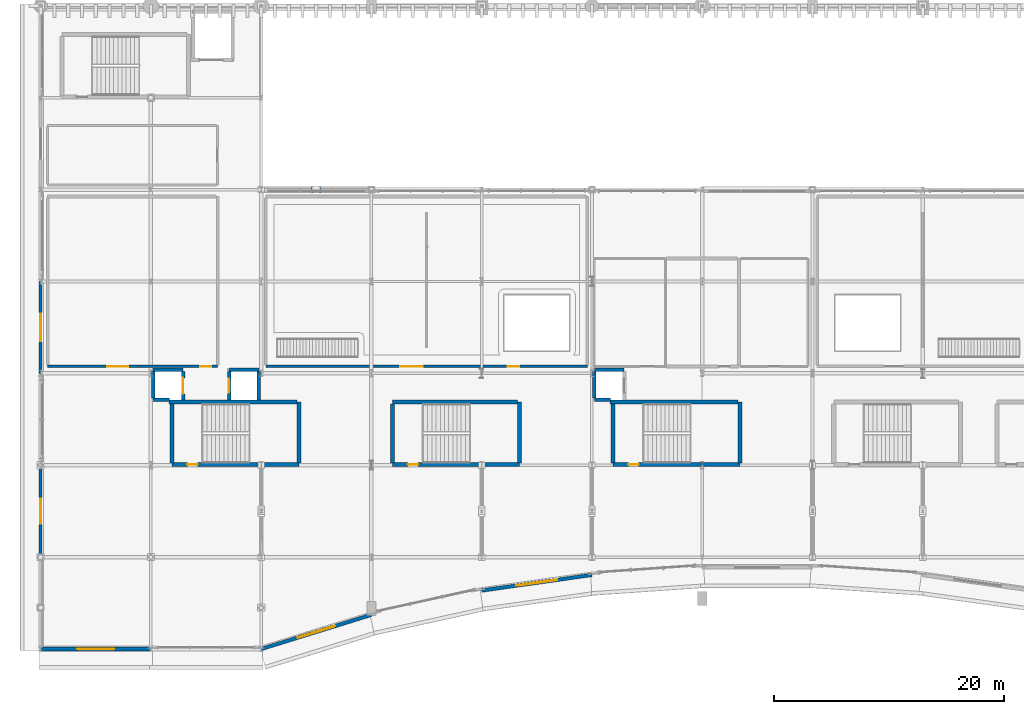
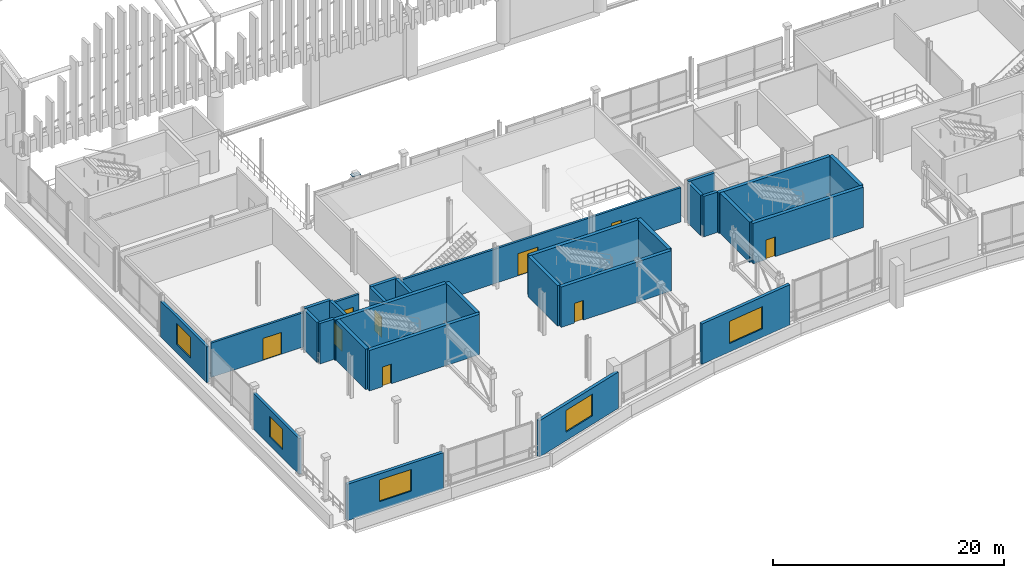
# One storey, part 149 of 193: 29 walls, 9 doors, 5 windows, 1 plate, 14 openings.
"""IFC4 building model written with IfcOpenShell, lengths in metres."""

from ifc_helpers import new_model, si_unit, direction, frame, frame_2d, origin, origin_with_axes, origin_2d, place, context, subcontext, project, spatial, rectangle, extrude, material, layer, layer_set, type_object, element, fill, save


model = new_model("IFC4")

# Units and contexts
model_context = context("Model", 3, precision=1e-05, world=origin(), true_north=direction((0.0, 1.0)))
body_context = subcontext(model_context, "Body", "Model", "MODEL_VIEW")
ifc_project = project(units=[si_unit("LENGTHUNIT", "METRE"), si_unit("AREAUNIT", "SQUARE_METRE"), si_unit("VOLUMEUNIT", "CUBIC_METRE"), si_unit("PLANEANGLEUNIT", "RADIAN"), si_unit("MASSUNIT", "GRAM", prefix="KILO")], contexts=[model_context])

# Site, building, storey
site_placement = place(None, origin())
site = spatial("IfcSite", under=ifc_project, at=site_placement, CompositionType="ELEMENT")
building_placement = place(site_placement, origin())
building = spatial("IfcBuilding", under=site, at=building_placement, Name="Danafjord Basin Convention Centre", CompositionType="ELEMENT")
storey_placement = place(building_placement, frame((0.0, 0.0, 11.39990234375)))
storey = spatial("IfcBuildingStorey", under=building, at=storey_placement, Name="L02", CompositionType="ELEMENT", Elevation=11.39990234375)

# Plate
ifc_material_1 = material(Name="Steel S355", Category="steel")
ifc_layer_1 = layer(ifc_material_1, 0.030029296875)
ifc_layer_set_1 = layer_set([ifc_layer_1], Name="Steel S355")
plate_type = type_object("IfcPlateType", Name="PLT-TN-30", PredefinedType="SHEET", material=ifc_layer_set_1)
plate_placement = place(storey_placement, frame((24.0, 40.0, 3.88525390625), z_axis=(0.0, 0.0, 1.0), x_axis=(1.0, 0.0, 0.0)))
element("IfcPlate", 1, at=plate_placement, inside=storey, type_object=plate_type, Name="L02 chevron apex gusset plate", PredefinedType="SHEET", context=body_context, shape_type="SweptSolid", body=[
    extrude(rectangle(XDim=0.800048828125, YDim=0.5, at=origin_2d()), origin(), (0.0, 0.0, 1.0), 0.030029296875),
])

# Walls
ifc_material_2 = material(Name="Concrete C40/50", Category="concrete")
ifc_layer_2 = layer(ifc_material_2, 0.300048828125)
ifc_layer_set_2 = layer_set([ifc_layer_2], Name="Concrete C40/50")
wall_type_1 = type_object("IfcWallType", Name="WALL-CW-CORE300", PredefinedType="SHEAR", material=ifc_layer_set_2)
wall_1_placement = place(storey_placement, frame((12.39990234375, 24.300048828125, 0.0), z_axis=(0.0, 0.0, 1.0), x_axis=(-1.0, 0.0, 0.0)))
element("IfcWall", 2, at=wall_1_placement, inside=storey, type_object=wall_type_1, Name="Lift LF-FF01 shaft shear wall", PredefinedType="SHEAR", context=body_context, shape_type="SweptSolid", body=[
    extrude(rectangle(XDim=2.599853515625, YDim=0.300048828125, at=frame_2d((1.2998046875, 0.0))), origin(), (0.0, 0.0, 1.0), 4.27001953125),
])
wall_2_placement = place(storey_placement, frame((9.800048828125, 21.699951171875, 0.0), z_axis=(0.0, 0.0, 1.0), x_axis=(1.0, 0.0, 0.0)))
element("IfcWall", 3, at=wall_2_placement, inside=storey, type_object=wall_type_1, Name="Lift LF-FF01 shaft shear wall", PredefinedType="SHEAR", context=body_context, shape_type="SweptSolid", body=[
    extrude(rectangle(XDim=1.39990234375, YDim=0.300048828125, at=frame_2d((0.699951171875, 0.0))), origin(), (0.0, 0.0, 1.0), 4.27001953125),
])

# Wall, opening, door
wall_3_placement = place(storey_placement, frame((12.39990234375, 21.6650390625, 0.0), z_axis=(0.0, 0.0, 1.0), x_axis=(0.0, 1.0, 0.0)))
wall_3 = element("IfcWall", 4, at=wall_3_placement, inside=storey, type_object=wall_type_1, Name="Lift LF-FF01 shaft shear wall", PredefinedType="SHEAR", context=body_context, shape_type="SweptSolid", body=[
    extrude(rectangle(XDim=2.5, YDim=0.300048828125, at=frame_2d((1.25, 0.0))), origin(), (0.0, 0.0, 1.0), 4.27001953125),
])
opening_1_placement = place(wall_3_placement, frame((0.550048828125, 0.0, 0.0)))
opening_1 = element("IfcOpeningElement", 5, at=opening_1_placement, cuts=wall_3, Name="Opening LD-F01", PredefinedType="OPENING", context=body_context, shape_type="SweptSolid", body=[
    extrude(rectangle(XDim=1.39990234375, YDim=2.260009765625, at=frame_2d((0.699951171875, 1.1298828125))), frame((0.0, 0.159912109375, 0.0), z_axis=(0.0, -1.0, 0.0), x_axis=(1.0, 0.0, 0.0)), (0.0, 0.0, 1.0), 0.320068359375),
])
ifc_material_3 = material(Name="Brushed stainless steel and acoustic laminated glass", Category="steel")
door_type_1 = type_object("IfcDoorType", Name="DOOR-LD-F01", OperationType="DOUBLE_DOOR_SLIDING", PredefinedType="DOOR", material=ifc_material_3)
door_1_placement = place(opening_1_placement, origin())
door_1 = element("IfcDoor", 6, at=door_1_placement, inside=storey, type_object=door_type_1, Name="Lift LF-FF01 L02 Landing Door", OperationType="DOUBLE_DOOR_SLIDING", OverallHeight=2.260009765625, OverallWidth=1.39990234375, PredefinedType="DOOR", context=body_context, shape_type="SweptSolid", body=[
    extrude(rectangle(XDim=1.39990234375, YDim=2.260009765625, at=frame_2d((0.699951171875, 1.1298828125))), frame((0.0, 0.02490234375, 0.0), z_axis=(0.0, -1.0, 0.0), x_axis=(1.0, 0.0, 0.0)), (0.0, 0.0, 1.0), 0.050048828125),
])
fill(opening_1, door_1)

# Walls
wall_4_placement = place(storey_placement, frame((9.800048828125, 24.1650390625, 0.0), z_axis=(0.0, 0.0, 1.0), x_axis=(0.0, -1.0, 0.0)))
element("IfcWall", 7, at=wall_4_placement, inside=storey, type_object=wall_type_1, Name="Lift LF-FF01 shaft shear wall", PredefinedType="SHEAR", context=body_context, shape_type="SweptSolid", body=[
    extrude(rectangle(XDim=2.330078125, YDim=0.300048828125, at=frame_2d((1.1650390625, 0.0))), origin(), (0.0, 0.0, 1.0), 4.27001953125),
])
wall_5_placement = place(storey_placement, frame((19.0, 24.300048828125, 0.0), z_axis=(0.0, 0.0, 1.0), x_axis=(-1.0, 0.0, 0.0)))
element("IfcWall", 8, at=wall_5_placement, inside=storey, type_object=wall_type_1, Name="Lift LF-P01 shaft shear wall", PredefinedType="SHEAR", context=body_context, shape_type="SweptSolid", body=[
    extrude(rectangle(XDim=2.60009765625, YDim=0.300048828125, at=frame_2d((1.300048828125, 0.0))), origin(), (0.0, 0.0, 1.0), 4.27001953125),
])
wall_6_placement = place(storey_placement, frame((19.0, 21.6650390625, 0.0), z_axis=(0.0, 0.0, 1.0), x_axis=(0.0, 1.0, 0.0)))
element("IfcWall", 9, at=wall_6_placement, inside=storey, type_object=wall_type_1, Name="Lift LF-P01 shaft shear wall", PredefinedType="SHEAR", context=body_context, shape_type="SweptSolid", body=[
    extrude(rectangle(XDim=2.5, YDim=0.300048828125, at=frame_2d((1.25, 0.0))), origin(), (0.0, 0.0, 1.0), 4.27001953125),
])

# Wall, opening, door
wall_7_placement = place(storey_placement, frame((16.39990234375, 24.1650390625, 0.0), z_axis=(0.0, 0.0, 1.0), x_axis=(0.0, -1.0, 0.0)))
wall_7 = element("IfcWall", 10, at=wall_7_placement, inside=storey, type_object=wall_type_1, Name="Lift LF-P01 shaft shear wall", PredefinedType="SHEAR", context=body_context, shape_type="SweptSolid", body=[
    extrude(rectangle(XDim=2.5, YDim=0.300048828125, at=frame_2d((1.25, 0.0))), origin(), (0.0, 0.0, 1.0), 4.27001953125),
])
opening_2_placement = place(wall_7_placement, frame((0.64990234375, 0.0, 0.0)))
opening_2 = element("IfcOpeningElement", 11, at=opening_2_placement, cuts=wall_7, Name="Opening LD-P01", PredefinedType="OPENING", context=body_context, shape_type="SweptSolid", body=[
    extrude(rectangle(XDim=1.199951171875, YDim=2.199951171875, at=frame_2d((0.60009765625, 1.10009765625))), frame((0.0, 0.159912109375, 0.0), z_axis=(0.0, -1.0, 0.0), x_axis=(1.0, 0.0, 0.0)), (0.0, 0.0, 1.0), 0.320068359375),
])
door_type_2 = type_object("IfcDoorType", Name="DOOR-LD-P01", OperationType="DOUBLE_DOOR_SLIDING", PredefinedType="DOOR", material=ifc_material_3)
door_2_placement = place(opening_2_placement, origin())
door_2 = element("IfcDoor", 12, at=door_2_placement, inside=storey, type_object=door_type_2, Name="Lift LF-P01 L02 Landing Door", OperationType="DOUBLE_DOOR_SLIDING", OverallHeight=2.199951171875, OverallWidth=1.199951171875, PredefinedType="DOOR", context=body_context, shape_type="SweptSolid", body=[
    extrude(rectangle(XDim=1.199951171875, YDim=2.199951171875, at=frame_2d((0.60009765625, 1.10009765625))), frame((0.0, 0.02490234375, 0.0), z_axis=(0.0, -1.0, 0.0), x_axis=(1.0, 0.0, 0.0)), (0.0, 0.0, 1.0), 0.050048828125),
])
fill(opening_2, door_2)

# Walls
wall_8_placement = place(storey_placement, frame((50.800048828125, 24.300048828125, 0.0), z_axis=(0.0, 0.0, 1.0), x_axis=(-1.0, 0.0, 0.0)))
element("IfcWall", 13, at=wall_8_placement, inside=storey, type_object=wall_type_1, Name="Lift LF-P03 shaft shear wall", PredefinedType="SHEAR", context=body_context, shape_type="SweptSolid", body=[
    extrude(rectangle(XDim=2.60009765625, YDim=0.300048828125, at=frame_2d((1.300048828125, 0.0))), origin(), (0.0, 0.0, 1.0), 4.27001953125),
])
wall_9_placement = place(storey_placement, frame((48.199951171875, 21.699951171875, 0.0), z_axis=(0.0, 0.0, 1.0), x_axis=(1.0, 0.0, 0.0)))
element("IfcWall", 14, at=wall_9_placement, inside=storey, type_object=wall_type_1, Name="Lift LF-P03 shaft shear wall", PredefinedType="SHEAR", context=body_context, shape_type="SweptSolid", body=[
    extrude(rectangle(XDim=1.400146484375, YDim=0.300048828125, at=frame_2d((0.7001953125, 0.0))), origin(), (0.0, 0.0, 1.0), 4.27001953125),
])
wall_10_placement = place(storey_placement, frame((48.199951171875, 24.1650390625, 0.0), z_axis=(0.0, 0.0, 1.0), x_axis=(0.0, -1.0, 0.0)))
element("IfcWall", 15, at=wall_10_placement, inside=storey, type_object=wall_type_1, Name="Lift LF-P03 shaft shear wall", PredefinedType="SHEAR", context=body_context, shape_type="SweptSolid", body=[
    extrude(rectangle(XDim=2.330078125, YDim=0.300048828125, at=frame_2d((1.1650390625, 0.0))), origin(), (0.0, 0.0, 1.0), 4.27001953125),
])

# Wall, opening, door
ifc_material_4 = material(Name="Concrete C45/55", Category="concrete")
ifc_layer_3 = layer(ifc_material_4, 0.35009765625)
ifc_layer_set_3 = layer_set([ifc_layer_3], Name="Concrete C45/55")
wall_type_2 = type_object("IfcWallType", Name="WALL-CW-CORE350", PredefinedType="SHEAR", material=ifc_layer_set_3)
wall_11_placement = place(storey_placement, frame((11.449951171875, 16.050048828125, 0.0), z_axis=(0.0, 0.0, 1.0), x_axis=(1.0, 0.0, 0.0)))
wall_11 = element("IfcWall", 16, at=wall_11_placement, inside=storey, type_object=wall_type_2, Name="West Harbour Core Stair 1 core shear wall (south)", PredefinedType="SHEAR", context=body_context, shape_type="SweptSolid", body=[
    extrude(rectangle(XDim=11.0400390625, YDim=0.35009765625, at=frame_2d((5.52001953125, 0.0))), origin(), (0.0, 0.0, 1.0), 4.27001953125),
])
opening_3_placement = place(wall_11_placement, frame((1.31201171875, 0.0, 0.0)))
opening_3 = element("IfcOpeningElement", 17, at=opening_3_placement, cuts=wall_11, Name="Opening FD-S01", PredefinedType="OPENING", context=body_context, shape_type="SweptSolid", body=[
    extrude(rectangle(XDim=0.909912109375, YDim=2.080078125, at=frame_2d((0.455078125, 1.0400390625))), frame((0.0, 0.18505859375, 0.0), z_axis=(0.0, -1.0, 0.0), x_axis=(1.0, 0.0, 0.0)), (0.0, 0.0, 1.0), 0.3701171875),
])
ifc_material_5 = material(Name="Powder-coated steel and Nordic oak", Category="steel")
door_type_3 = type_object("IfcDoorType", Name="DOOR-FD-S01", OperationType="NOTDEFINED", PredefinedType="DOOR", material=ifc_material_5)
door_3_placement = place(opening_3_placement, origin())
door_3 = element("IfcDoor", 18, at=door_3_placement, inside=storey, type_object=door_type_3, Name="West Harbour Core Stair 1 L02 Fire Exit Door", OperationType="SINGLE_SWING_RIGHT", OverallHeight=2.080078125, OverallWidth=0.909912109375, PredefinedType="DOOR", context=body_context, shape_type="SweptSolid", body=[
    extrude(rectangle(XDim=0.909912109375, YDim=2.080078125, at=frame_2d((0.455078125, 1.0400390625))), frame((0.0, 0.02490234375, 0.0), z_axis=(0.0, -1.0, 0.0), x_axis=(1.0, 0.0, 0.0)), (0.0, 0.0, 1.0), 0.050048828125),
])
fill(opening_3, door_3)

# Walls
wall_12_placement = place(storey_placement, frame((22.489990234375, 16.2099609375, 0.0), z_axis=(0.0, 0.0, 1.0), x_axis=(0.0, 1.0, 0.0)))
element("IfcWall", 19, at=wall_12_placement, inside=storey, type_object=wall_type_2, Name="West Harbour Core Stair 1 core shear wall (east)", PredefinedType="SHEAR", context=body_context, shape_type="SweptSolid", body=[
    extrude(rectangle(XDim=5.300048828125, YDim=0.35009765625, at=frame_2d((2.64990234375, 0.0))), origin(), (0.0, 0.0, 1.0), 4.27001953125),
])
wall_13_placement = place(storey_placement, frame((22.330078125, 21.510009765625, 0.0), z_axis=(0.0, 0.0, 1.0), x_axis=(-1.0, 0.0, 0.0)))
element("IfcWall", 20, at=wall_13_placement, inside=storey, type_object=wall_type_2, Name="West Harbour Core Stair 1 core shear wall (north)", PredefinedType="SHEAR", context=body_context, shape_type="SweptSolid", body=[
    extrude(rectangle(XDim=11.150146484375, YDim=0.35009765625, at=frame_2d((5.5751953125, 0.0))), origin(), (0.0, 0.0, 1.0), 4.27001953125),
])
wall_14_placement = place(storey_placement, frame((11.449951171875, 21.35009765625, 0.0), z_axis=(0.0, 0.0, 1.0), x_axis=(0.0, -1.0, 0.0)))
element("IfcWall", 21, at=wall_14_placement, inside=storey, type_object=wall_type_2, Name="West Harbour Core Stair 1 core shear wall (west)", PredefinedType="SHEAR", context=body_context, shape_type="SweptSolid", body=[
    extrude(rectangle(XDim=5.14013671875, YDim=0.35009765625, at=frame_2d((2.570068359375, 0.0))), origin(), (0.0, 0.0, 1.0), 4.27001953125),
])

# Wall, opening, door
wall_15_placement = place(storey_placement, frame((49.85009765625, 16.050048828125, 0.0), z_axis=(0.0, 0.0, 1.0), x_axis=(1.0, 0.0, 0.0)))
wall_15 = element("IfcWall", 22, at=wall_15_placement, inside=storey, type_object=wall_type_2, Name="Mid-Arc Meeting Core Stair 1 core shear wall (south)", PredefinedType="SHEAR", context=body_context, shape_type="SweptSolid", body=[
    extrude(rectangle(XDim=11.039794921875, YDim=0.35009765625, at=frame_2d((5.52001953125, 0.0))), origin(), (0.0, 0.0, 1.0), 4.27001953125),
])
opening_4_placement = place(wall_15_placement, frame((1.31201171875, 0.0, 0.0)))
opening_4 = element("IfcOpeningElement", 23, at=opening_4_placement, cuts=wall_15, Name="Opening FD-S01", PredefinedType="OPENING", context=body_context, shape_type="SweptSolid", body=[
    extrude(rectangle(XDim=0.909912109375, YDim=2.080078125, at=frame_2d((0.455078125, 1.0400390625))), frame((0.0, 0.18505859375, 0.0), z_axis=(0.0, -1.0, 0.0), x_axis=(1.0, 0.0, 0.0)), (0.0, 0.0, 1.0), 0.3701171875),
])
door_4_placement = place(opening_4_placement, origin())
door_4 = element("IfcDoor", 24, at=door_4_placement, inside=storey, type_object=door_type_3, Name="Mid-Arc Meeting Core Stair 1 L02 Fire Exit Door", OperationType="SINGLE_SWING_RIGHT", OverallHeight=2.080078125, OverallWidth=0.909912109375, PredefinedType="DOOR", context=body_context, shape_type="SweptSolid", body=[
    extrude(rectangle(XDim=0.909912109375, YDim=2.080078125, at=frame_2d((0.455078125, 1.0400390625))), frame((0.0, 0.02490234375, 0.0), z_axis=(0.0, -1.0, 0.0), x_axis=(1.0, 0.0, 0.0)), (0.0, 0.0, 1.0), 0.050048828125),
])
fill(opening_4, door_4)

# Walls
wall_16_placement = place(storey_placement, frame((60.889892578125, 16.2099609375, 0.0), z_axis=(0.0, 0.0, 1.0), x_axis=(0.0, 1.0, 0.0)))
element("IfcWall", 25, at=wall_16_placement, inside=storey, type_object=wall_type_2, Name="Mid-Arc Meeting Core Stair 1 core shear wall (east)", PredefinedType="SHEAR", context=body_context, shape_type="SweptSolid", body=[
    extrude(rectangle(XDim=5.300048828125, YDim=0.35009765625, at=frame_2d((2.64990234375, 0.0))), origin(), (0.0, 0.0, 1.0), 4.27001953125),
])
wall_17_placement = place(storey_placement, frame((60.72998046875, 21.510009765625, 0.0), z_axis=(0.0, 0.0, 1.0), x_axis=(-1.0, 0.0, 0.0)))
element("IfcWall", 26, at=wall_17_placement, inside=storey, type_object=wall_type_2, Name="Mid-Arc Meeting Core Stair 1 core shear wall (north)", PredefinedType="SHEAR", context=body_context, shape_type="SweptSolid", body=[
    extrude(rectangle(XDim=11.14990234375, YDim=0.35009765625, at=frame_2d((5.574951171875, 0.0))), origin(), (0.0, 0.0, 1.0), 4.27001953125),
])
wall_18_placement = place(storey_placement, frame((49.85009765625, 21.35009765625, 0.0), z_axis=(0.0, 0.0, 1.0), x_axis=(0.0, -1.0, 0.0)))
element("IfcWall", 27, at=wall_18_placement, inside=storey, type_object=wall_type_2, Name="Mid-Arc Meeting Core Stair 1 core shear wall (west)", PredefinedType="SHEAR", context=body_context, shape_type="SweptSolid", body=[
    extrude(rectangle(XDim=5.14013671875, YDim=0.35009765625, at=frame_2d((2.570068359375, 0.0))), origin(), (0.0, 0.0, 1.0), 4.27001953125),
])

# Wall, opening, door
wall_19_placement = place(storey_placement, frame((30.64990234375, 16.050048828125, 0.0), z_axis=(0.0, 0.0, 1.0), x_axis=(1.0, 0.0, 0.0)))
wall_19 = element("IfcWall", 28, at=wall_19_placement, inside=storey, type_object=wall_type_2, Name="West Harbour Escape Stair 2 core shear wall (south)", PredefinedType="SHEAR", context=body_context, shape_type="SweptSolid", body=[
    extrude(rectangle(XDim=11.0400390625, YDim=0.35009765625, at=frame_2d((5.52001953125, 0.0))), origin(), (0.0, 0.0, 1.0), 4.27001953125),
])
opening_5_placement = place(wall_19_placement, frame((1.31201171875, 0.0, 0.0)))
opening_5 = element("IfcOpeningElement", 29, at=opening_5_placement, cuts=wall_19, Name="Opening FD-S01", PredefinedType="OPENING", context=body_context, shape_type="SweptSolid", body=[
    extrude(rectangle(XDim=0.909912109375, YDim=2.080078125, at=frame_2d((0.455078125, 1.0400390625))), frame((0.0, 0.18505859375, 0.0), z_axis=(0.0, -1.0, 0.0), x_axis=(1.0, 0.0, 0.0)), (0.0, 0.0, 1.0), 0.3701171875),
])
door_5_placement = place(opening_5_placement, origin())
door_5 = element("IfcDoor", 30, at=door_5_placement, inside=storey, type_object=door_type_3, Name="West Harbour Escape Stair 2 L02 Fire Exit Door", OperationType="SINGLE_SWING_LEFT", OverallHeight=2.080078125, OverallWidth=0.909912109375, PredefinedType="DOOR", context=body_context, shape_type="SweptSolid", body=[
    extrude(rectangle(XDim=0.909912109375, YDim=2.080078125, at=frame_2d((0.455078125, 1.0400390625))), frame((0.0, 0.02490234375, 0.0), z_axis=(0.0, -1.0, 0.0), x_axis=(1.0, 0.0, 0.0)), (0.0, 0.0, 1.0), 0.050048828125),
])
fill(opening_5, door_5)

# Walls
wall_20_placement = place(storey_placement, frame((41.68994140625, 16.2099609375, 0.0), z_axis=(0.0, 0.0, 1.0), x_axis=(0.0, 1.0, 0.0)))
element("IfcWall", 31, at=wall_20_placement, inside=storey, type_object=wall_type_2, Name="West Harbour Escape Stair 2 core shear wall (east)", PredefinedType="SHEAR", context=body_context, shape_type="SweptSolid", body=[
    extrude(rectangle(XDim=5.300048828125, YDim=0.35009765625, at=frame_2d((2.64990234375, 0.0))), origin(), (0.0, 0.0, 1.0), 4.27001953125),
])
wall_21_placement = place(storey_placement, frame((41.530029296875, 21.510009765625, 0.0), z_axis=(0.0, 0.0, 1.0), x_axis=(-1.0, 0.0, 0.0)))
element("IfcWall", 32, at=wall_21_placement, inside=storey, type_object=wall_type_2, Name="West Harbour Escape Stair 2 core shear wall (north)", PredefinedType="SHEAR", context=body_context, shape_type="SweptSolid", body=[
    extrude(rectangle(XDim=10.880126953125, YDim=0.35009765625, at=frame_2d((5.43994140625, 0.0))), origin(), (0.0, 0.0, 1.0), 4.27001953125),
])
wall_22_placement = place(storey_placement, frame((30.64990234375, 21.35009765625, 0.0), z_axis=(0.0, 0.0, 1.0), x_axis=(0.0, -1.0, 0.0)))
element("IfcWall", 33, at=wall_22_placement, inside=storey, type_object=wall_type_2, Name="West Harbour Escape Stair 2 core shear wall (west)", PredefinedType="SHEAR", context=body_context, shape_type="SweptSolid", body=[
    extrude(rectangle(XDim=5.14013671875, YDim=0.35009765625, at=frame_2d((2.570068359375, 0.0))), origin(), (0.0, 0.0, 1.0), 4.27001953125),
])

# Wall, opening, window
ifc_material_6 = material(Name="Precast concrete C40/50", Category="concrete")
ifc_layer_4 = layer(ifc_material_6, 0.31005859375)
ifc_layer_set_4 = layer_set([ifc_layer_4], Name="Precast concrete C40/50")
wall_type_3 = type_object("IfcWallType", Name="WALL-EW-PC300", PredefinedType="SOLIDWALL", material=ifc_layer_set_4)
wall_23_placement = place(storey_placement, origin_with_axes())
wall_23 = element("IfcWall", 34, at=wall_23_placement, inside=storey, type_object=wall_type_3, Name="L02 harbourfront precast facade bay 1", PredefinedType="SOLIDWALL", context=body_context, shape_type="SweptSolid", body=[
    extrude(rectangle(XDim=9.60009765625, YDim=0.31005859375, at=frame_2d((4.800048828125, 0.0))), origin(), (0.0, 0.0, 1.0), 3.843994140625),
])
opening_6_placement = place(wall_23_placement, frame((3.199951171875, 0.0, 0.89990234375)))
opening_6 = element("IfcOpeningElement", 35, at=opening_6_placement, cuts=wall_23, Name="Opening WN-11", PredefinedType="OPENING", context=body_context, shape_type="SweptSolid", body=[
    extrude(rectangle(XDim=3.199951171875, YDim=2.300048828125, at=frame_2d((1.60009765625, 1.14990234375))), frame((0.0, 0.1650390625, 0.0), z_axis=(0.0, -1.0, 0.0), x_axis=(1.0, 0.0, 0.0)), (0.0, 0.0, 1.0), 0.330078125),
])
ifc_material_7 = material(Name="Thermally broken aluminium and triple low-E glass", Category="aluminium")
window_type_1 = type_object("IfcWindowType", Name="WIN-WN-11", PartitioningType="SINGLE_PANEL", PredefinedType="WINDOW", material=ifc_material_7)
window_1_placement = place(opening_6_placement, origin())
window_1 = element("IfcWindow", 36, at=window_1_placement, inside=storey, type_object=window_type_1, Name="L02 harbour window WN-11", OverallHeight=2.300048828125, OverallWidth=3.199951171875, PartitioningType="SINGLE_PANEL", PredefinedType="WINDOW", context=body_context, shape_type="SweptSolid", body=[
    extrude(rectangle(XDim=3.199951171875, YDim=2.300048828125, at=frame_2d((1.60009765625, 1.14990234375))), frame((0.0, 0.030029296875, 0.0), z_axis=(0.0, -1.0, 0.0), x_axis=(1.0, 0.0, 0.0)), (0.0, 0.0, 1.0), 0.06005859375),
])
fill(opening_6, window_1)

wall_24_placement = place(storey_placement, frame((19.199951171875, 0.0, 0.0), z_axis=(0.0, 0.0, 1.0), x_axis=(0.955046116742, 0.296457273306, 0.0)))
wall_24 = element("IfcWall", 37, at=wall_24_placement, inside=storey, type_object=wall_type_3, Name="L02 harbourfront precast facade bay 3", PredefinedType="SOLIDWALL", context=body_context, shape_type="SweptSolid", body=[
    extrude(rectangle(XDim=10.052001953125, YDim=0.31005859375, at=frame_2d((5.02587890625, 0.0))), origin(), (0.0, 0.0, 1.0), 3.840087890625),
])
opening_7_placement = place(wall_24_placement, frame((3.325927734375, 0.0, 0.89990234375)))
opening_7 = element("IfcOpeningElement", 38, at=opening_7_placement, cuts=wall_24, Name="Opening WN-12", PredefinedType="OPENING", context=body_context, shape_type="SweptSolid", body=[
    extrude(rectangle(XDim=3.39990234375, YDim=2.300048828125, at=frame_2d((1.699951171875, 1.14990234375))), frame((0.0, 0.1650390625, 0.0), z_axis=(0.0, -1.0, 0.0), x_axis=(1.0, 0.0, 0.0)), (0.0, 0.0, 1.0), 0.330078125),
])
window_type_2 = type_object("IfcWindowType", Name="WIN-WN-12", PartitioningType="SINGLE_PANEL", PredefinedType="WINDOW", material=ifc_material_7)
window_2_placement = place(opening_7_placement, origin())
window_2 = element("IfcWindow", 39, at=window_2_placement, inside=storey, type_object=window_type_2, Name="L02 harbour window WN-12", OverallHeight=2.300048828125, OverallWidth=3.39990234375, PartitioningType="SINGLE_PANEL", PredefinedType="WINDOW", context=body_context, shape_type="SweptSolid", body=[
    extrude(rectangle(XDim=3.39990234375, YDim=2.300048828125, at=frame_2d((1.699951171875, 1.14990234375))), frame((0.0, 0.030029296875, 0.0), z_axis=(0.0, -1.0, 0.0), x_axis=(1.0, 0.0, 0.0)), (0.0, 0.0, 1.0), 0.06005859375),
])
fill(opening_7, window_2)

wall_25_placement = place(storey_placement, frame((38.39990234375, 5.093017578125, 0.0), z_axis=(0.0, 0.0, 1.0), x_axis=(0.990129976579, 0.140152165445, 0.0)))
wall_25 = element("IfcWall", 40, at=wall_25_placement, inside=storey, type_object=wall_type_3, Name="L02 harbourfront precast facade bay 5", PredefinedType="SOLIDWALL", context=body_context, shape_type="SweptSolid", body=[
    extrude(rectangle(XDim=9.69580078125, YDim=0.31005859375, at=frame_2d((4.847900390625, 0.0))), origin(), (0.0, 0.0, 1.0), 4.27001953125),
])
opening_8_placement = place(wall_25_placement, frame((3.048095703125, 0.0, 0.89990234375)))
opening_8 = element("IfcOpeningElement", 41, at=opening_8_placement, cuts=wall_25, Name="Opening WN-13", PredefinedType="OPENING", context=body_context, shape_type="SweptSolid", body=[
    extrude(rectangle(XDim=3.60009765625, YDim=2.35009765625, at=frame_2d((1.800048828125, 1.175048828125))), frame((0.0, 0.1650390625, 0.0), z_axis=(0.0, -1.0, 0.0), x_axis=(1.0, 0.0, 0.0)), (0.0, 0.0, 1.0), 0.330078125),
])
window_type_3 = type_object("IfcWindowType", Name="WIN-WN-13", PartitioningType="SINGLE_PANEL", PredefinedType="WINDOW", material=ifc_material_7)
window_3_placement = place(opening_8_placement, origin())
window_3 = element("IfcWindow", 42, at=window_3_placement, inside=storey, type_object=window_type_3, Name="L02 harbour window WN-13", OverallHeight=2.35009765625, OverallWidth=3.60009765625, PartitioningType="SINGLE_PANEL", PredefinedType="WINDOW", context=body_context, shape_type="SweptSolid", body=[
    extrude(rectangle(XDim=3.60009765625, YDim=2.35009765625, at=frame_2d((1.800048828125, 1.175048828125))), frame((0.0, 0.030029296875, 0.0), z_axis=(0.0, -1.0, 0.0), x_axis=(1.0, 0.0, 0.0)), (0.0, 0.0, 1.0), 0.06005859375),
])
fill(opening_8, window_3)

ifc_material_8 = material(Name="Concrete C35/45", Category="concrete")
ifc_layer_5 = layer(ifc_material_8, 0.260009765625)
ifc_layer_set_5 = layer_set([ifc_layer_5], Name="Concrete C35/45")
wall_type_4 = type_object("IfcWallType", Name="WALL-EW-STD260", PredefinedType="STANDARD", material=ifc_layer_set_5)
wall_26_placement = place(storey_placement, frame((0.0, 8.0, 0.0), z_axis=(0.0, 0.0, 1.0), x_axis=(0.0, 1.0, 0.0)))
wall_26 = element("IfcWall", 43, at=wall_26_placement, inside=storey, type_object=wall_type_4, Name="L02 W wing facade wall", PredefinedType="STANDARD", context=body_context, shape_type="SweptSolid", body=[
    extrude(rectangle(XDim=8.0, YDim=0.260009765625, at=frame_2d((4.0, 0.0))), origin(), (0.0, 0.0, 1.0), 3.7900390625),
])
opening_9_placement = place(wall_26_placement, frame((2.89990234375, 0.0, 0.89990234375)))
opening_9 = element("IfcOpeningElement", 44, at=opening_9_placement, cuts=wall_26, Name="Opening WN-06", PredefinedType="OPENING", context=body_context, shape_type="SweptSolid", body=[
    extrude(rectangle(XDim=2.199951171875, YDim=2.14990234375, at=frame_2d((1.10009765625, 1.074951171875))), frame((0.0, 0.139892578125, 0.0), z_axis=(0.0, -1.0, 0.0), x_axis=(1.0, 0.0, 0.0)), (0.0, 0.0, 1.0), 0.280029296875),
])
window_type_4 = type_object("IfcWindowType", Name="WIN-WN-06", PartitioningType="SINGLE_PANEL", PredefinedType="WINDOW", material=ifc_material_7)
window_4_placement = place(opening_9_placement, origin())
window_4 = element("IfcWindow", 45, at=window_4_placement, inside=storey, type_object=window_type_4, Name="L02 W window WN-06", OverallHeight=2.14990234375, OverallWidth=2.199951171875, PartitioningType="SINGLE_PANEL", PredefinedType="WINDOW", context=body_context, shape_type="SweptSolid", body=[
    extrude(rectangle(XDim=2.199951171875, YDim=2.14990234375, at=frame_2d((1.10009765625, 1.074951171875))), frame((0.0, 0.030029296875, 0.0), z_axis=(0.0, -1.0, 0.0), x_axis=(1.0, 0.0, 0.0)), (0.0, 0.0, 1.0), 0.06005859375),
])
fill(opening_9, window_4)

wall_27_placement = place(storey_placement, frame((0.0, 24.0, 0.0), z_axis=(0.0, 0.0, 1.0), x_axis=(0.0, 1.0, 0.0)))
wall_27 = element("IfcWall", 46, at=wall_27_placement, inside=storey, type_object=wall_type_4, Name="L02 W wing facade wall", PredefinedType="STANDARD", context=body_context, shape_type="SweptSolid", body=[
    extrude(rectangle(XDim=8.0, YDim=0.260009765625, at=frame_2d((4.0, 0.0))), origin(), (0.0, 0.0, 1.0), 3.7900390625),
])
opening_10_placement = place(wall_27_placement, frame((2.800048828125, 0.0, 0.89990234375)))
opening_10 = element("IfcOpeningElement", 47, at=opening_10_placement, cuts=wall_27, Name="Opening WN-07", PredefinedType="OPENING", context=body_context, shape_type="SweptSolid", body=[
    extrude(rectangle(XDim=2.39990234375, YDim=2.199951171875, at=frame_2d((1.199951171875, 1.10009765625))), frame((0.0, 0.139892578125, 0.0), z_axis=(0.0, -1.0, 0.0), x_axis=(1.0, 0.0, 0.0)), (0.0, 0.0, 1.0), 0.280029296875),
])
window_type_5 = type_object("IfcWindowType", Name="WIN-WN-07", PartitioningType="SINGLE_PANEL", PredefinedType="WINDOW", material=ifc_material_7)
window_5_placement = place(opening_10_placement, origin())
window_5 = element("IfcWindow", 48, at=window_5_placement, inside=storey, type_object=window_type_5, Name="L02 W window WN-07", OverallHeight=2.199951171875, OverallWidth=2.39990234375, PartitioningType="SINGLE_PANEL", PredefinedType="WINDOW", context=body_context, shape_type="SweptSolid", body=[
    extrude(rectangle(XDim=2.39990234375, YDim=2.199951171875, at=frame_2d((1.199951171875, 1.10009765625))), frame((0.0, 0.030029296875, 0.0), z_axis=(0.0, -1.0, 0.0), x_axis=(1.0, 0.0, 0.0)), (0.0, 0.0, 1.0), 0.06005859375),
])
fill(opening_10, window_5)

# Wall, openings, doors
ifc_material_9 = material(Name="Acoustic twin-stud gypsum and mineral wool")
ifc_layer_6 = layer(ifc_material_9, 0.219970703125)
ifc_layer_set_6 = layer_set([ifc_layer_6], Name="Acoustic twin-stud gypsum and mineral wool")
wall_type_5 = type_object("IfcWallType", Name="WALL-PT-AC220", PredefinedType="PARTITIONING", material=ifc_layer_set_6)
wall_28_placement = place(storey_placement, frame((0.60009765625, 24.60009765625, 0.0), z_axis=(0.0, 0.0, 1.0), x_axis=(1.0, 0.0, 0.0)))
wall_28 = element("IfcWall", 49, at=wall_28_placement, inside=storey, type_object=wall_type_5, Name="Subdivisible Conference Hall C201 south partition", PredefinedType="PARTITIONING", context=body_context, shape_type="SweptSolid", body=[
    extrude(rectangle(XDim=14.7998046875, YDim=0.219970703125, at=frame_2d((7.39990234375, 0.0))), origin(), (0.0, 0.0, 1.0), 3.64013671875),
])
opening_11_placement = place(wall_28_placement, frame((5.176025390625, 0.0, 0.0)))
opening_11 = element("IfcOpeningElement", 50, at=opening_11_placement, cuts=wall_28, Name="Opening FD-D09", PredefinedType="OPENING", context=body_context, shape_type="SweptSolid", body=[
    extrude(rectangle(XDim=1.860107421875, YDim=2.320068359375, at=frame_2d((0.93017578125, 1.16015625))), frame((0.0, 0.119873046875, 0.0), z_axis=(0.0, -1.0, 0.0), x_axis=(1.0, 0.0, 0.0)), (0.0, 0.0, 1.0), 0.239990234375),
])
opening_12_placement = place(wall_28_placement, frame((13.2900390625, 0.0, 0.0)))
opening_12 = element("IfcOpeningElement", 51, at=opening_12_placement, cuts=wall_28, Name="Opening FD-S22", PredefinedType="OPENING", context=body_context, shape_type="SweptSolid", body=[
    extrude(rectangle(XDim=0.9599609375, YDim=2.449951171875, at=frame_2d((0.47998046875, 1.22509765625))), frame((0.0, 0.119873046875, 0.0), z_axis=(0.0, -1.0, 0.0), x_axis=(1.0, 0.0, 0.0)), (0.0, 0.0, 1.0), 0.239990234375),
])
door_type_4 = type_object("IfcDoorType", Name="DOOR-FD-D09", OperationType="DOUBLE_DOOR_SINGLE_SWING", PredefinedType="DOOR", material=ifc_material_3)
door_6_placement = place(opening_11_placement, origin())
door_6 = element("IfcDoor", 52, at=door_6_placement, inside=storey, type_object=door_type_4, Name="Subdivisible Conference Hall C201 Entrance Door", OperationType="DOUBLE_DOOR_SINGLE_SWING", OverallHeight=2.320068359375, OverallWidth=1.860107421875, PredefinedType="DOOR", context=body_context, shape_type="SweptSolid", body=[
    extrude(rectangle(XDim=1.860107421875, YDim=2.320068359375, at=frame_2d((0.93017578125, 1.16015625))), frame((0.0, 0.02490234375, 0.0), z_axis=(0.0, -1.0, 0.0), x_axis=(1.0, 0.0, 0.0)), (0.0, 0.0, 1.0), 0.050048828125),
])
fill(opening_11, door_6)
door_type_5 = type_object("IfcDoorType", Name="DOOR-FD-S22", OperationType="NOTDEFINED", PredefinedType="DOOR", material=ifc_material_5)
door_7_placement = place(opening_12_placement, origin())
door_7 = element("IfcDoor", 53, at=door_7_placement, inside=storey, type_object=door_type_5, Name="Subdivisible Conference Hall C201 Secondary Exit Door", OperationType="SINGLE_SWING_RIGHT", OverallHeight=2.449951171875, OverallWidth=0.9599609375, PredefinedType="DOOR", context=body_context, shape_type="SweptSolid", body=[
    extrude(rectangle(XDim=0.9599609375, YDim=2.449951171875, at=frame_2d((0.47998046875, 1.22509765625))), frame((0.0, 0.02490234375, 0.0), z_axis=(0.0, -1.0, 0.0), x_axis=(1.0, 0.0, 0.0)), (0.0, 0.0, 1.0), 0.050048828125),
])
fill(opening_12, door_7)

wall_29_placement = place(storey_placement, frame((19.60009765625, 24.60009765625, 0.0), z_axis=(0.0, 0.0, 1.0), x_axis=(1.0, 0.0, 0.0)))
wall_29 = element("IfcWall", 54, at=wall_29_placement, inside=storey, type_object=wall_type_5, Name="Subdivisible Conference Hall C202 south partition", PredefinedType="PARTITIONING", context=body_context, shape_type="SweptSolid", body=[
    extrude(rectangle(XDim=28.0, YDim=0.219970703125, at=frame_2d((14.0, 0.0))), origin(), (0.0, 0.0, 1.0), 3.64013671875),
])
opening_13_placement = place(wall_29_placement, frame((11.718017578125, 0.0, 0.0)))
opening_13 = element("IfcOpeningElement", 55, at=opening_13_placement, cuts=wall_29, Name="Opening FD-D10", PredefinedType="OPENING", context=body_context, shape_type="SweptSolid", body=[
    extrude(rectangle(XDim=1.9599609375, YDim=2.360107421875, at=frame_2d((0.97998046875, 1.18017578125))), frame((0.0, 0.119873046875, 0.0), z_axis=(0.0, -1.0, 0.0), x_axis=(1.0, 0.0, 0.0)), (0.0, 0.0, 1.0), 0.239990234375),
])
opening_14_placement = place(wall_29_placement, frame((21.068115234375, 0.0, 0.0)))
opening_14 = element("IfcOpeningElement", 56, at=opening_14_placement, cuts=wall_29, Name="Opening FD-S23", PredefinedType="OPENING", context=body_context, shape_type="SweptSolid", body=[
    extrude(rectangle(XDim=0.989990234375, YDim=2.280029296875, at=frame_2d((0.4951171875, 1.14013671875))), frame((0.0, 0.119873046875, 0.0), z_axis=(0.0, -1.0, 0.0), x_axis=(1.0, 0.0, 0.0)), (0.0, 0.0, 1.0), 0.239990234375),
])
door_type_6 = type_object("IfcDoorType", Name="DOOR-FD-D10", OperationType="DOUBLE_DOOR_SINGLE_SWING", PredefinedType="DOOR", material=ifc_material_3)
door_8_placement = place(opening_13_placement, origin())
door_8 = element("IfcDoor", 57, at=door_8_placement, inside=storey, type_object=door_type_6, Name="Subdivisible Conference Hall C202 Entrance Door", OperationType="DOUBLE_DOOR_SINGLE_SWING", OverallHeight=2.360107421875, OverallWidth=1.9599609375, PredefinedType="DOOR", context=body_context, shape_type="SweptSolid", body=[
    extrude(rectangle(XDim=1.9599609375, YDim=2.360107421875, at=frame_2d((0.97998046875, 1.18017578125))), frame((0.0, 0.02490234375, 0.0), z_axis=(0.0, -1.0, 0.0), x_axis=(1.0, 0.0, 0.0)), (0.0, 0.0, 1.0), 0.050048828125),
])
fill(opening_13, door_8)
door_type_7 = type_object("IfcDoorType", Name="DOOR-FD-S23", OperationType="NOTDEFINED", PredefinedType="DOOR", material=ifc_material_5)
door_9_placement = place(opening_14_placement, origin())
door_9 = element("IfcDoor", 58, at=door_9_placement, inside=storey, type_object=door_type_7, Name="Subdivisible Conference Hall C202 Secondary Exit Door", OperationType="SINGLE_SWING_LEFT", OverallHeight=2.280029296875, OverallWidth=0.989990234375, PredefinedType="DOOR", context=body_context, shape_type="SweptSolid", body=[
    extrude(rectangle(XDim=0.989990234375, YDim=2.280029296875, at=frame_2d((0.4951171875, 1.14013671875))), frame((0.0, 0.02490234375, 0.0), z_axis=(0.0, -1.0, 0.0), x_axis=(1.0, 0.0, 0.0)), (0.0, 0.0, 1.0), 0.050048828125),
])
fill(opening_14, door_9)

save(model, "model.ifc")
